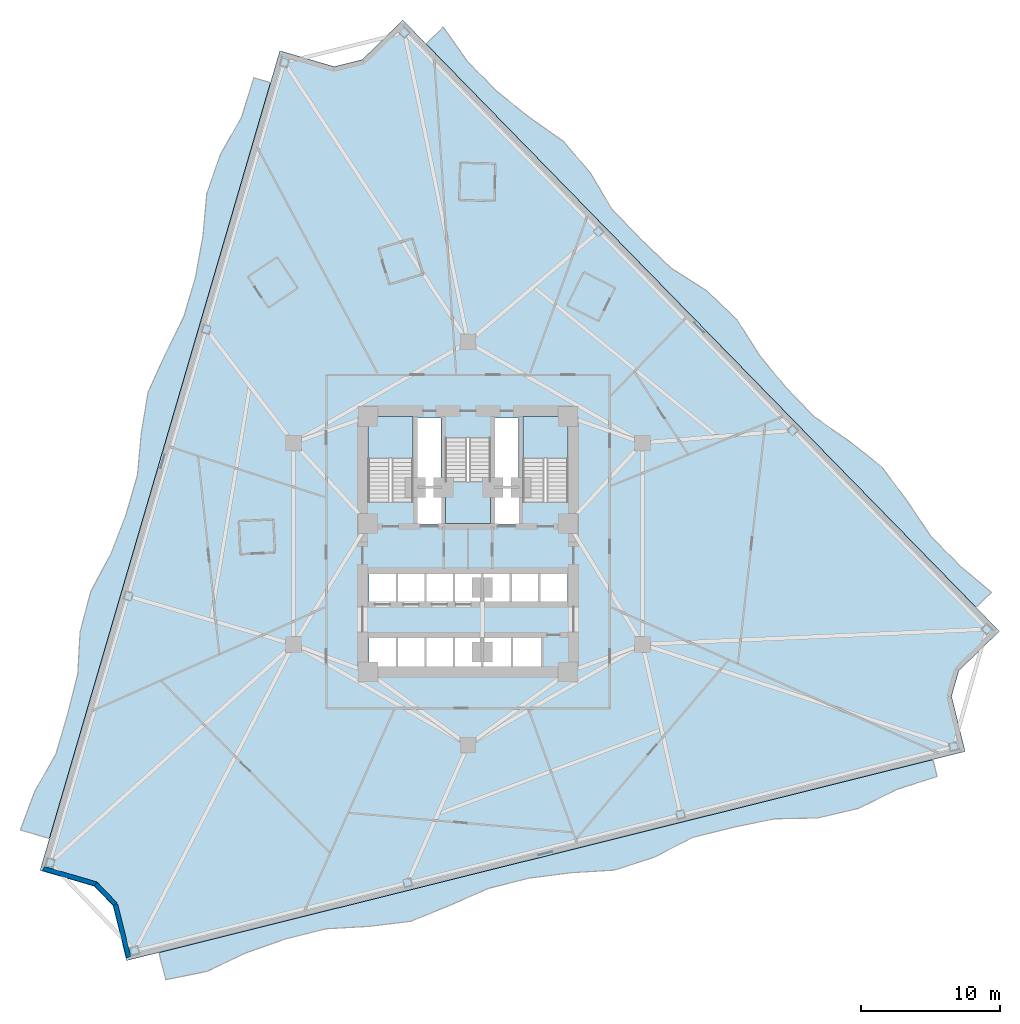
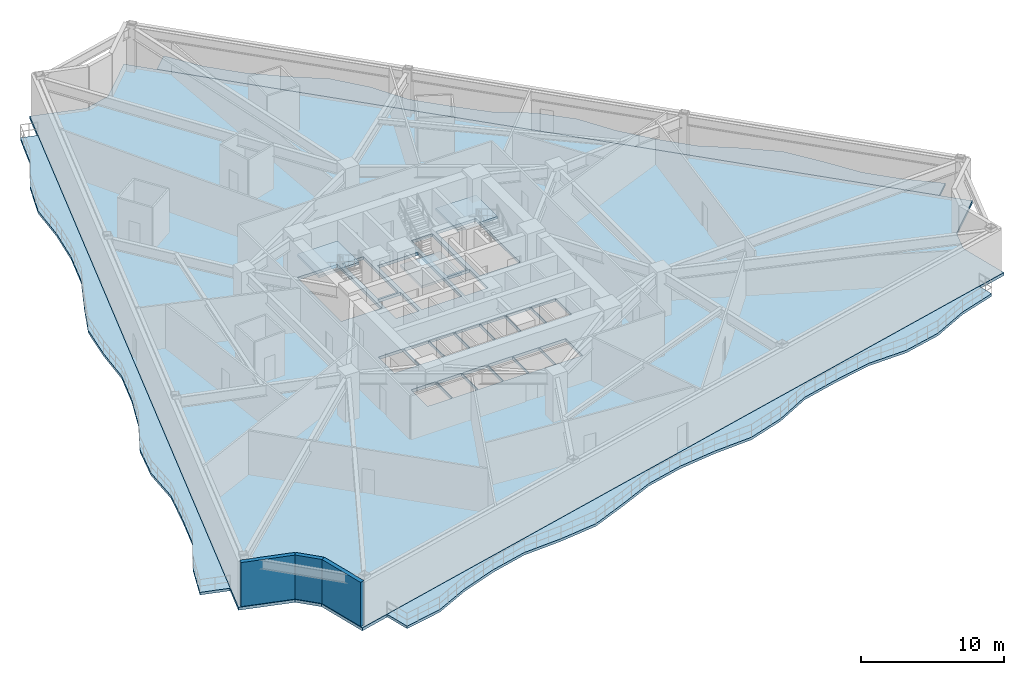
# One storey, part 2 of 10: 7 slabs, 3 walls, 3 elements without a shape of their own.
"""IFC4 building model written with IfcOpenShell, lengths in metres."""

from ifc_helpers import new_model, si_unit, direction, frame, frame_2d, origin, place, context, subcontext, project, spatial, polyline, rectangle, outline, extrude, material, layer, layer_set, type_object, element, aggregate, save


model = new_model("IFC4")

# Units and contexts
model_context = context("Model", 3, precision=1e-05, world=origin(), true_north=direction((0.0, 1.0)))
body_context = subcontext(model_context, "Body", "Model", "MODEL_VIEW")
ifc_project = project(units=[si_unit("LENGTHUNIT", "METRE"), si_unit("AREAUNIT", "SQUARE_METRE"), si_unit("VOLUMEUNIT", "CUBIC_METRE"), si_unit("PLANEANGLEUNIT", "RADIAN"), si_unit("MASSUNIT", "GRAM", prefix="KILO")], contexts=[model_context])

# Site, building, storey
site_placement = place(None, origin())
site = spatial("IfcSite", under=ifc_project, at=site_placement, CompositionType="ELEMENT")
building_placement = place(site_placement, origin())
building = spatial("IfcBuilding", under=site, at=building_placement, Name="Apsidion Concourse Tower", CompositionType="ELEMENT")
storey_placement = place(building_placement, frame((0.0, 0.0, 99.0)))
storey = spatial("IfcBuildingStorey", under=building, at=storey_placement, Name="L22", CompositionType="ELEMENT", Elevation=99.0)

# Slabs
ifc_material_1 = material(Name="Concrete C50/60", Category="concrete")
ifc_layer_1 = layer(ifc_material_1, 0.219970703125)
ifc_layer_set_1 = layer_set([ifc_layer_1], Name="Concrete C50/60")
slab_type_1 = type_object("IfcSlabType", Name="SL-BAL-220", PredefinedType="FLOOR", material=ifc_layer_set_1)
slab_1_placement = place(storey_placement, frame((0.0, 0.0, -0.219970703125)))
element("IfcSlab", 1, at=slab_1_placement, inside=storey, type_object=slab_type_1, Name="L22 Face 1 Rippling Balcony Slab", PredefinedType="FLOOR", context=body_context, shape_type="SweptSolid", body=[
    extrude(outline(polyline([(-14.220458984375, 33.17431640625), (-15.05810546875, 30.311279296875), (-15.8955078125, 27.4482421875), (-16.73291015625, 24.58544921875), (-17.570556640625, 21.722412109375), (-18.407958984375, 18.859619140625), (-19.24560546875, 15.99658203125), (-20.0830078125, 13.133544921875), (-20.920654296875, 10.2705078125), (-21.758056640625, 7.40771484375), (-22.595703125, 4.544677734375), (-23.43310546875, 1.681884765625), (-24.2705078125, -1.18115234375), (-25.108154296875, -4.044189453125), (-25.94580078125, -6.906982421875), (-26.783203125, -9.77001953125), (-27.62060546875, -12.633056640625), (-28.458251953125, -15.495849609375), (-29.295654296875, -18.35888671875), (-30.13330078125, -21.2216796875), (-32.222900390625, -20.610595703125), (-31.168212890625, -17.81103515625), (-29.657958984375, -15.14501953125), (-28.8203125, -12.281982421875), (-28.091064453125, -9.387451171875), (-27.913818359375, -6.331298828125), (-27.149169921875, -3.447021484375), (-25.708251953125, -0.760498046875), (-24.6328125, 2.03271484375), (-23.79541015625, 4.895751953125), (-23.518798828125, 7.922607421875), (-23.03125, 10.88818359375), (-21.7822265625, 13.630615234375), (-20.4453125, 16.347412109375), (-19.607666015625, 19.21044921875), (-19.074951171875, 22.16259765625), (-18.8017578125, 25.190673828125), (-17.818359375, 28.0107421875), (-16.302978515625, 30.675537109375), (-15.420166015625, 33.525146484375), (-14.220458984375, 33.17431640625)])), origin(), (0.0, 0.0, 1.0), 0.219970703125),
])
slab_2_placement = place(storey_placement, frame((0.0, 0.0, -0.219970703125)))
element("IfcSlab", 2, at=slab_2_placement, inside=storey, type_object=slab_type_1, Name="L22 Face 2 Rippling Balcony Slab", PredefinedType="FLOOR", context=body_context, shape_type="SweptSolid", body=[
    extrude(outline(polyline([(-22.24560546875, -29.43359375), (-19.313720703125, -28.702392578125), (-16.3818359375, -27.971435546875), (-13.449951171875, -27.240478515625), (-10.51806640625, -26.509521484375), (-7.586181640625, -25.778564453125), (-4.654296875, -25.047607421875), (-1.722412109375, -24.31640625), (1.209228515625, -23.58544921875), (4.14111328125, -22.8544921875), (7.072998046875, -22.12353515625), (10.0048828125, -21.392578125), (12.936767578125, -20.66162109375), (15.86865234375, -19.9306640625), (18.800537109375, -19.19970703125), (21.732421875, -18.468505859375), (24.664306640625, -17.737548828125), (27.59619140625, -17.006591796875), (30.528076171875, -16.275634765625), (33.4599609375, -15.544677734375), (33.76220703125, -16.757568359375), (30.879150390625, -17.68359375), (28.106201171875, -19.052490234375), (25.16455078125, -19.743896484375), (22.066162109375, -19.80712890625), (19.10302734375, -20.412353515625), (16.171142578125, -21.143310546875), (13.4111328125, -22.563720703125), (10.5302734375, -23.499267578125), (7.46142578125, -23.680908203125), (4.443603515625, -24.0673828125), (1.51171875, -24.79833984375), (-1.296142578125, -26.02685546875), (-4.122314453125, -27.181396484375), (-7.14501953125, -27.54833984375), (-10.2158203125, -27.722412109375), (-13.147705078125, -28.453369140625), (-16.009521484375, -29.46484375), (-18.7939453125, -30.787109375), (-21.759521484375, -31.38330078125), (-22.24560546875, -29.43359375)])), origin(), (0.0, 0.0, 1.0), 0.219970703125),
])
slab_3_placement = place(storey_placement, frame((0.0, 0.0, -0.219970703125)))
element("IfcSlab", 3, at=slab_3_placement, inside=storey, type_object=slab_type_1, Name="L22 Face 3 Rippling Balcony Slab", PredefinedType="FLOOR", context=body_context, shape_type="SweptSolid", body=[
    extrude(outline(polyline([(36.569091796875, -4.591064453125), (34.485595703125, -2.456298828125), (32.402099609375, -0.32177734375), (30.318603515625, 1.81298828125), (28.23486328125, 3.947509765625), (26.1513671875, 6.082275390625), (24.06787109375, 8.216796875), (21.984130859375, 10.3515625), (19.900634765625, 12.486083984375), (17.817138671875, 14.620849609375), (15.733642578125, 16.75537109375), (13.64990234375, 18.89013671875), (11.56640625, 21.024658203125), (9.48291015625, 23.159423828125), (7.3994140625, 25.2939453125), (5.31591796875, 27.4287109375), (3.232177734375, 29.563232421875), (1.148681640625, 31.697998046875), (-0.934814453125, 33.83251953125), (-3.018310546875, 35.96728515625), (-1.787109375, 37.1689453125), (-0.040283203125, 34.705810546875), (2.043212890625, 32.571044921875), (4.39111328125, 30.694580078125), (6.870361328125, 28.946044921875), (8.80517578125, 26.666259765625), (10.37744140625, 24.032470703125), (12.4609375, 21.897705078125), (14.61328125, 19.830322265625), (17.193115234375, 18.179931640625), (19.344482421875, 16.11181640625), (20.985107421875, 13.54443359375), (22.87890625, 11.224609375), (24.96240234375, 9.090087890625), (27.452880859375, 7.3525390625), (29.80908203125, 5.484130859375), (31.596923828125, 3.060791015625), (33.29638671875, 0.551513671875), (35.380126953125, -1.583251953125), (37.67822265625, -3.50830078125), (36.569091796875, -4.591064453125)])), origin(), (0.0, 0.0, 1.0), 0.219970703125),
])
ifc_layer_2 = layer(ifc_material_1, 0.25)
ifc_layer_set_2 = layer_set([ifc_layer_2], Name="Concrete C50/60")
slab_type_2 = type_object("IfcSlabType", Name="SL-FLR-250", PredefinedType="FLOOR", material=ifc_layer_set_2)
slab_4_placement = place(storey_placement, frame((0.0, 0.0, -0.25)))
element("IfcSlab", 4, at=slab_4_placement, inside=storey, type_object=slab_type_2, Name="L22 Structural Floor Slab", PredefinedType="FLOOR", context=body_context, shape_type="SweptSolid", body=[
    extrude(outline(polyline([(-4.69482421875, 37.684814453125), (-7.614013671875, 34.83544921875), (-9.63134765625, 34.33251953125), (-13.546630859375, 35.477783203125), (-30.80712890625, -23.525390625), (-26.891845703125, -24.670654296875), (-25.56103515625, -26.055908203125), (-24.57421875, -30.01416015625), (35.78857421875, -14.964111328125), (34.8017578125, -11.005859375), (35.326416015625, -9.15771484375), (38.24560546875, -6.30859375), (-4.69482421875, 37.684814453125)]), holes=[polyline([(-3.949951171875, 3.0), (-3.949951171875, 9.14990234375), (-7.199951171875, 9.14990234375), (-7.199951171875, 3.0), (-3.949951171875, 3.0)]), polyline([(7.199951171875, 3.0), (7.199951171875, 9.14990234375), (3.949951171875, 9.14990234375), (3.949951171875, 3.0), (7.199951171875, 3.0)]), polyline([(-1.625, 7.60009765625), (-1.625, 1.449951171875), (1.625, 1.449951171875), (1.625, 7.60009765625), (-1.625, 7.60009765625)]), polyline([(-7.14501953125, -4.300048828125), (-5.155029296875, -4.300048828125), (-5.155029296875, -2.050048828125), (-7.14501953125, -2.050048828125), (-7.14501953125, -4.300048828125)]), polyline([(-5.094970703125, -4.300048828125), (-3.10498046875, -4.300048828125), (-3.10498046875, -2.050048828125), (-5.094970703125, -2.050048828125), (-5.094970703125, -4.300048828125)]), polyline([(-3.044921875, -4.300048828125), (-1.054931640625, -4.300048828125), (-1.054931640625, -2.050048828125), (-3.044921875, -2.050048828125), (-3.044921875, -4.300048828125)]), polyline([(-0.9951171875, -4.300048828125), (0.9951171875, -4.300048828125), (0.9951171875, -2.050048828125), (-0.9951171875, -2.050048828125), (-0.9951171875, -4.300048828125)]), polyline([(1.054931640625, -4.300048828125), (3.044921875, -4.300048828125), (3.044921875, -2.050048828125), (1.054931640625, -2.050048828125), (1.054931640625, -4.300048828125)]), polyline([(3.10498046875, -4.300048828125), (5.094970703125, -4.300048828125), (5.094970703125, -2.050048828125), (3.10498046875, -2.050048828125), (3.10498046875, -4.300048828125)]), polyline([(5.155029296875, -4.300048828125), (7.14501953125, -4.300048828125), (7.14501953125, -2.050048828125), (5.155029296875, -2.050048828125), (5.155029296875, -4.300048828125)]), polyline([(-7.14501953125, -8.949951171875), (-5.155029296875, -8.949951171875), (-5.155029296875, -6.64990234375), (-7.14501953125, -6.64990234375), (-7.14501953125, -8.949951171875)]), polyline([(-5.094970703125, -8.949951171875), (-3.10498046875, -8.949951171875), (-3.10498046875, -6.64990234375), (-5.094970703125, -6.64990234375), (-5.094970703125, -8.949951171875)]), polyline([(-3.044921875, -8.949951171875), (-1.054931640625, -8.949951171875), (-1.054931640625, -6.64990234375), (-3.044921875, -6.64990234375), (-3.044921875, -8.949951171875)]), polyline([(-0.9951171875, -8.949951171875), (0.9951171875, -8.949951171875), (0.9951171875, -6.64990234375), (-0.9951171875, -6.64990234375), (-0.9951171875, -8.949951171875)]), polyline([(1.044921875, -9.0), (3.155029296875, -9.0), (3.155029296875, -6.64990234375), (1.044921875, -6.64990234375), (1.044921875, -9.0)]), polyline([(3.195068359375, -9.0), (5.304931640625, -9.0), (5.304931640625, -6.64990234375), (3.195068359375, -6.64990234375), (3.195068359375, -9.0)]), polyline([(-3.7099609375, 1.39990234375), (-1.85009765625, 1.39990234375), (-1.85009765625, 4.0), (-3.7099609375, 4.0), (-3.7099609375, 1.39990234375)]), polyline([(1.85009765625, 1.39990234375), (3.7099609375, 1.39990234375), (3.7099609375, 4.0), (1.85009765625, 4.0), (1.85009765625, 1.39990234375)]), polyline([(-3.6201171875, 4.14990234375), (-1.93994140625, 4.14990234375), (-1.93994140625, 9.050048828125), (-3.6201171875, 9.050048828125), (-3.6201171875, 4.14990234375)]), polyline([(1.93994140625, 4.14990234375), (3.6201171875, 4.14990234375), (3.6201171875, 9.050048828125), (1.93994140625, 9.050048828125), (1.93994140625, 4.14990234375)])]), origin(), (0.0, 0.0, 1.0), 0.25),
])

# Stair, slab
ifc_material_2 = material(Name="Precast concrete C40/50", Category="concrete")
stair_type = type_object("IfcStairType", Name="ST-DL-1550", PredefinedType="HALF_TURN_STAIR", material=ifc_material_2)
stair_1_placement = place(storey_placement, origin())
stair_1 = element("IfcStair", 5, at=stair_1_placement, inside=storey, type_object=stair_type, Name="L22 Protected Core Exit Stair ST1", PredefinedType="HALF_TURN_STAIR")
ifc_layer_3 = layer(ifc_material_1, 0.199951171875)
ifc_layer_set_3 = layer_set([ifc_layer_3], Name="Concrete C50/60")
slab_type_3 = type_object("IfcSlabType", Name="SL-ST-LAND-200", PredefinedType="LANDING", material=ifc_layer_set_3)
slab_5_placement = place(storey_placement, frame((0.0, 0.0, 1.800048828125)))
slab_5 = element("IfcSlab", 6, at=slab_5_placement, type_object=slab_type_3, Name="ST1 landing 1", PredefinedType="LANDING", context=body_context, shape_type="SweptSolid", body=[
    extrude(outline(polyline([(-3.949951171875, 6.135009765625), (-3.949951171875, 9.14990234375), (-7.199951171875, 9.14990234375), (-7.199951171875, 6.135009765625), (-3.949951171875, 6.135009765625)])), origin(), (0.0, 0.0, 1.0), 0.199951171875),
])
aggregate(stair_1, [slab_5])

stair_2_placement = place(storey_placement, origin())
stair_2 = element("IfcStair", 7, at=stair_2_placement, inside=storey, type_object=stair_type, Name="L22 Protected Core Exit Stair ST2", PredefinedType="HALF_TURN_STAIR")
slab_6_placement = place(storey_placement, frame((0.0, 0.0, 1.800048828125)))
slab_6 = element("IfcSlab", 8, at=slab_6_placement, type_object=slab_type_3, Name="ST2 landing 1", PredefinedType="LANDING", context=body_context, shape_type="SweptSolid", body=[
    extrude(outline(polyline([(7.199951171875, 6.135009765625), (7.199951171875, 9.14990234375), (3.949951171875, 9.14990234375), (3.949951171875, 6.135009765625), (7.199951171875, 6.135009765625)])), origin(), (0.0, 0.0, 1.0), 0.199951171875),
])
aggregate(stair_2, [slab_6])

stair_3_placement = place(storey_placement, origin())
stair_3 = element("IfcStair", 9, at=stair_3_placement, inside=storey, type_object=stair_type, Name="L22 Protected Core Exit Stair ST3", PredefinedType="HALF_TURN_STAIR")
slab_7_placement = place(storey_placement, frame((0.0, 0.0, 1.800048828125)))
slab_7 = element("IfcSlab", 10, at=slab_7_placement, type_object=slab_type_3, Name="ST3 landing 1", PredefinedType="LANDING", context=body_context, shape_type="SweptSolid", body=[
    extrude(outline(polyline([(-1.625, 4.465087890625), (-1.625, 1.449951171875), (1.625, 1.449951171875), (1.625, 4.465087890625), (-1.625, 4.465087890625)])), origin(), (0.0, 0.0, 1.0), 0.199951171875),
])
aggregate(stair_3, [slab_7])

# Walls
ifc_layer_4 = layer(ifc_material_2, 0.320068359375)
ifc_layer_set_4 = layer_set([ifc_layer_4], Name="Precast concrete C40/50")
wall_type = type_object("IfcWallType", Name="WL-EXT-320", PredefinedType="STANDARD", material=ifc_layer_set_4)
wall_1_placement = place(storey_placement, frame((-24.4287109375, -29.771728515625, 0.0), z_axis=(0.0, 0.0, 1.0), x_axis=(-0.241863642263, 0.970310248607, 0.0)))
element("IfcWall", 11, at=wall_1_placement, inside=storey, type_object=wall_type, Name="L22 Precast Stone Facade Wall 06", PredefinedType="STANDARD", context=body_context, shape_type="SweptSolid", body=[
    extrude(rectangle(XDim=3.9326171875, YDim=0.320068359375, at=frame_2d((1.96630859375, 0.0))), origin(), (0.0, 0.0, 1.0), 3.75),
])
wall_2_placement = place(storey_placement, frame((-25.3798828125, -25.955810546875, 0.0), z_axis=(0.0, 0.0, 1.0), x_axis=(-0.69281750058, 0.721112966802, 0.0)))
element("IfcWall", 12, at=wall_2_placement, inside=storey, type_object=wall_type, Name="L22 Precast Stone Facade Wall 07", PredefinedType="STANDARD", context=body_context, shape_type="SweptSolid", body=[
    extrude(rectangle(XDim=2.027587890625, YDim=0.320068359375, at=frame_2d((1.013671875, 0.0))), origin(), (0.0, 0.0, 1.0), 3.75),
])
wall_3_placement = place(storey_placement, frame((-26.78466796875, -24.49365234375, 0.0), z_axis=(0.0, 0.0, 1.0), x_axis=(-0.959768832583, 0.28079136027, 0.0)))
element("IfcWall", 13, at=wall_3_placement, inside=storey, type_object=wall_type, Name="L22 Precast Stone Facade Wall 08", PredefinedType="STANDARD", context=body_context, shape_type="SweptSolid", body=[
    extrude(rectangle(XDim=3.9326171875, YDim=0.320068359375, at=frame_2d((1.96630859375, 0.0))), origin(), (0.0, 0.0, 1.0), 3.75),
])

save(model, "model.ifc")
